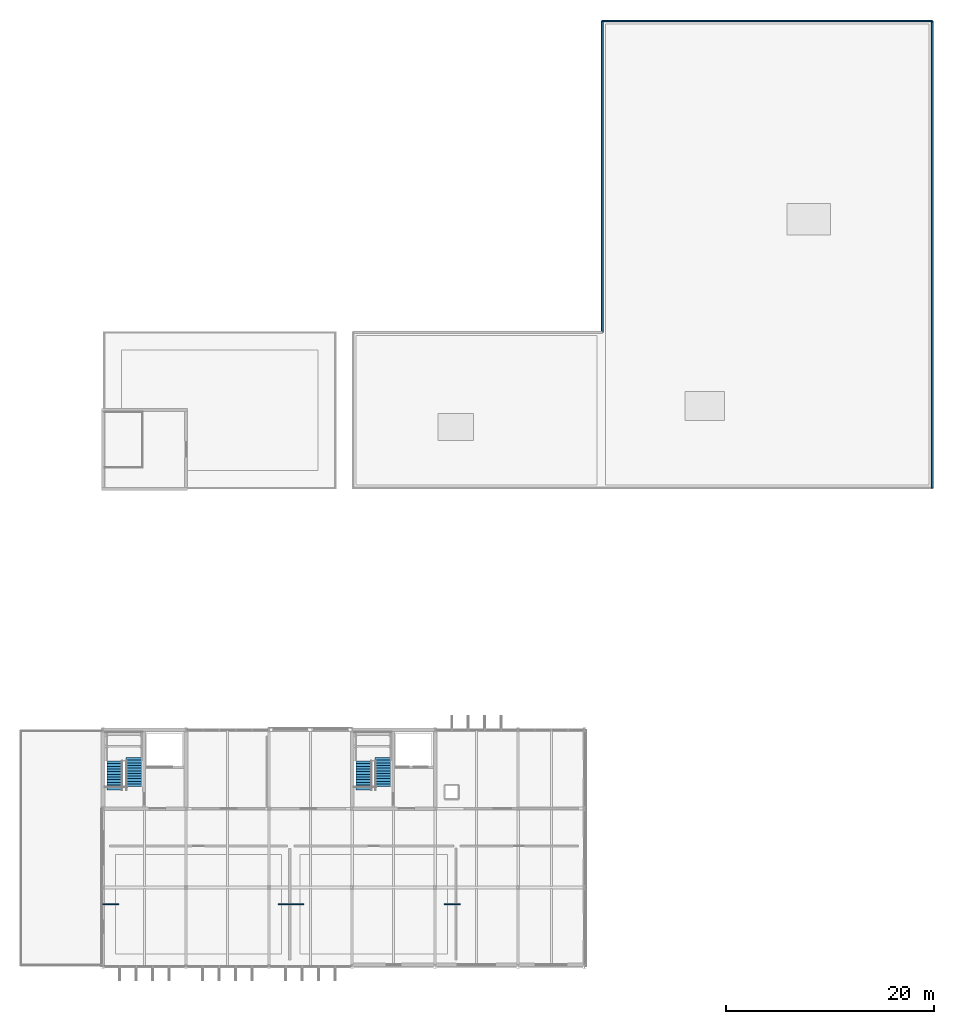
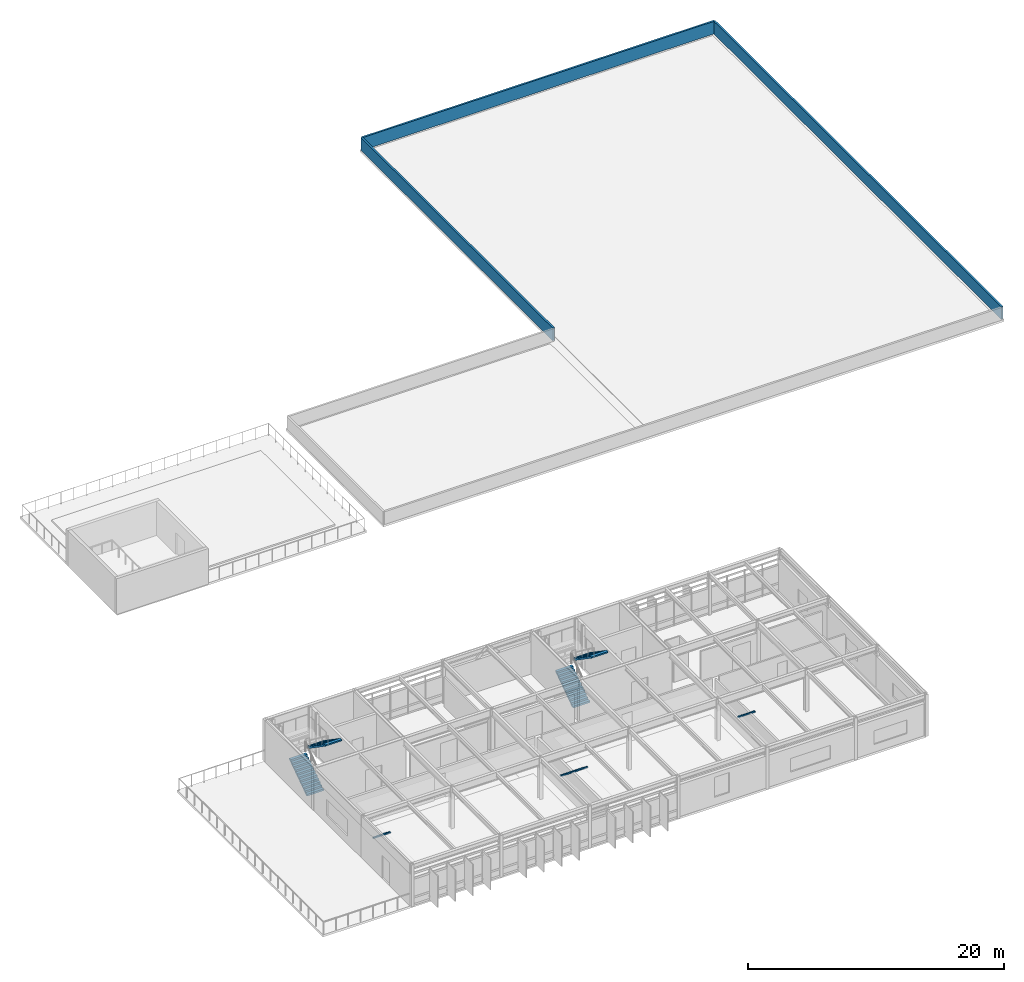
# One storey, part 17 of 21: 4 discrete accessories, 4 stair flights, 3 walls, 2 elements without a shape of their own.
"""IFC4 building model written with IfcOpenShell, lengths in metres."""

from ifc_helpers import new_model, si_unit, direction, frame, frame_2d, origin, origin_2d, place, context, subcontext, project, spatial, polyline, rectangle, outline, extrude, material, layer, layer_set, type_object, element, aggregate, save


model = new_model("IFC4")

# Units and contexts
model_context = context("Model", 3, precision=1e-05, world=origin(), true_north=direction((0.0, 1.0)))
body_context = subcontext(model_context, "Body", "Model", "MODEL_VIEW")
ifc_project = project(units=[si_unit("LENGTHUNIT", "METRE"), si_unit("AREAUNIT", "SQUARE_METRE"), si_unit("VOLUMEUNIT", "CUBIC_METRE"), si_unit("PLANEANGLEUNIT", "RADIAN"), si_unit("MASSUNIT", "GRAM", prefix="KILO")], contexts=[model_context])

# Site, building, storey
site_placement = place(None, origin())
site = spatial("IfcSite", under=ifc_project, at=site_placement, CompositionType="ELEMENT")
building_placement = place(site_placement, origin())
building = spatial("IfcBuilding", under=site, at=building_placement, Name="Zulena Civic Courthouse", CompositionType="ELEMENT")
storey_placement = place(building_placement, frame((0.0, 0.0, 37.800048828125)))
storey = spatial("IfcBuildingStorey", under=building, at=storey_placement, Name="L08", CompositionType="ELEMENT", Elevation=37.800048828125)

# Walls
ifc_material_1 = material(Name="Buff architectural precast concrete C40/50", Category="concrete")
ifc_layer_1 = layer(ifc_material_1, 0.169921875)
ifc_layer_set_1 = layer_set([ifc_layer_1], Name="Buff architectural precast concrete C40/50")
wall_type = type_object("IfcWallType", Name="Parapet_Buff_170", PredefinedType="PARAPET", material=ifc_layer_set_1)
wall_1_placement = place(storey_placement, frame((99.89990234375, 46.10009765625, 0.0), z_axis=(0.0, 0.0, 1.0), x_axis=(0.0, 1.0, 0.0)))
element("IfcWall", 1, at=wall_1_placement, inside=storey, type_object=wall_type, Name="parapet:V5:1", PredefinedType="PARAPET", context=body_context, shape_type="SweptSolid", body=[
    extrude(rectangle(XDim=45.0, YDim=0.169921875, at=frame_2d((22.5, 0.0))), origin(), (0.0, 0.0, 1.0), 1.199951171875),
])
wall_2_placement = place(storey_placement, frame((99.89990234375, 91.10009765625, 0.0), z_axis=(0.0, 0.0, 1.0), x_axis=(-1.0, 0.0, 0.0)))
element("IfcWall", 2, at=wall_2_placement, inside=storey, type_object=wall_type, Name="parapet:V5:2", PredefinedType="PARAPET", context=body_context, shape_type="SweptSolid", body=[
    extrude(rectangle(XDim=31.7998046875, YDim=0.169921875, at=frame_2d((15.89990234375, 0.0))), origin(), (0.0, 0.0, 1.0), 1.199951171875),
])
wall_3_placement = place(storey_placement, frame((68.10009765625, 91.10009765625, 0.0), z_axis=(0.0, 0.0, 1.0), x_axis=(0.0, -1.0, 0.0)))
element("IfcWall", 3, at=wall_3_placement, inside=storey, type_object=wall_type, Name="parapet:V5:3", PredefinedType="PARAPET", context=body_context, shape_type="SweptSolid", body=[
    extrude(rectangle(XDim=30.0, YDim=0.169921875, at=frame_2d((15.0, 0.0))), origin(), (0.0, 0.0, 1.0), 1.199951171875),
])

# Stair, stair flights
ifc_material_2 = material(Name="Precast concrete C40/50", Category="concrete")
stair_type = type_object("IfcStairType", Name="HalfTurnStair_4200", PredefinedType="HALF_TURN_STAIR", material=ifc_material_2)
stair_1_placement = place(storey_placement, origin())
stair_1 = element("IfcStair", 4, at=stair_1_placement, inside=storey, type_object=stair_type, Name="stair:K2A:L08", PredefinedType="HALF_TURN_STAIR")
stair_flight_type = type_object("IfcStairFlightType", Name="StairFlight_4200", PredefinedType="STRAIGHT", material=ifc_material_2)
stair_flight_1_placement = place(storey_placement, frame((21.1298828125, 16.97998046875, 0.0), z_axis=(0.0, 0.0, 1.0), x_axis=(0.0, 1.0, 0.0)))
stair_flight_1 = element("IfcStairFlight", 5, at=stair_flight_1_placement, type_object=stair_flight_type, Name="stair:K2A:L08:F1", NumberOfRisers=12, NumberOfTreads=11, PredefinedType="STRAIGHT", RiserHeight=0.175, TreadLength=0.255, context=body_context, shape_type="SweptSolid", body=[
    extrude(outline(polyline([(0.0, 0.0), (0.0, 0.175048828125), (0.2548828125, 0.175048828125), (0.2548828125, 0.35009765625), (0.510009765625, 0.35009765625), (0.510009765625, 0.52490234375), (0.764892578125, 0.52490234375), (0.764892578125, 0.699951171875), (1.02001953125, 0.699951171875), (1.02001953125, 0.875), (1.27490234375, 0.875), (1.27490234375, 1.050048828125), (1.530029296875, 1.050048828125), (1.530029296875, 1.22509765625), (1.784912109375, 1.22509765625), (1.784912109375, 1.39990234375), (2.0400390625, 1.39990234375), (2.0400390625, 1.574951171875), (2.294921875, 1.574951171875), (2.294921875, 1.75), (2.550048828125, 1.75), (2.550048828125, 1.925048828125), (2.804931640625, 1.925048828125), (2.804931640625, 2.10009765625), (2.804931640625, 1.797607421875), (0.185546875, 0.0), (0.0, 0.0)])), frame((0.0, 0.75, 0.0), z_axis=(0.0, -1.0, 0.0), x_axis=(1.0, 0.0, 0.0)), (0.0, 0.0, 1.0), 1.5),
])
stair_flight_2_placement = place(storey_placement, frame((22.969970703125, 20.124755859375, 2.099853515625), z_axis=(0.0, 0.0, 1.0), x_axis=(0.0, -1.0, 0.0)))
stair_flight_2 = element("IfcStairFlight", 6, at=stair_flight_2_placement, type_object=stair_flight_type, Name="stair:K2A:L08:F2", NumberOfRisers=12, NumberOfTreads=11, PredefinedType="STRAIGHT", RiserHeight=0.175, TreadLength=0.255, context=body_context, shape_type="SweptSolid", body=[
    extrude(outline(polyline([(0.0, 0.0), (0.0, 0.175048828125), (0.2548828125, 0.175048828125), (0.2548828125, 0.35009765625), (0.510009765625, 0.35009765625), (0.510009765625, 0.52490234375), (0.764892578125, 0.52490234375), (0.764892578125, 0.699951171875), (1.02001953125, 0.699951171875), (1.02001953125, 0.875), (1.27490234375, 0.875), (1.27490234375, 1.050048828125), (1.530029296875, 1.050048828125), (1.530029296875, 1.22509765625), (1.784912109375, 1.22509765625), (1.784912109375, 1.39990234375), (2.0400390625, 1.39990234375), (2.0400390625, 1.574951171875), (2.294921875, 1.574951171875), (2.294921875, 1.75), (2.550048828125, 1.75), (2.550048828125, 1.925048828125), (2.804931640625, 1.925048828125), (2.804931640625, 2.10009765625), (2.804931640625, 1.797607421875), (0.185546875, 0.0), (0.0, 0.0)])), frame((0.0, 0.75, 0.0), z_axis=(0.0, -1.0, 0.0), x_axis=(1.0, 0.0, 0.0)), (0.0, 0.0, 1.0), 1.5),
])
aggregate(stair_1, [stair_flight_1, stair_flight_2])

stair_2_placement = place(storey_placement, origin())
stair_2 = element("IfcStair", 7, at=stair_2_placement, inside=storey, type_object=stair_type, Name="stair:K2B:L08", PredefinedType="HALF_TURN_STAIR")
stair_flight_3_placement = place(storey_placement, frame((45.1298828125, 16.97998046875, 0.0), z_axis=(0.0, 0.0, 1.0), x_axis=(0.0, 1.0, 0.0)))
stair_flight_3 = element("IfcStairFlight", 8, at=stair_flight_3_placement, type_object=stair_flight_type, Name="stair:K2B:L08:F1", NumberOfRisers=12, NumberOfTreads=11, PredefinedType="STRAIGHT", RiserHeight=0.175, TreadLength=0.255, context=body_context, shape_type="SweptSolid", body=[
    extrude(outline(polyline([(0.0, 0.0), (0.0, 0.175048828125), (0.2548828125, 0.175048828125), (0.2548828125, 0.35009765625), (0.510009765625, 0.35009765625), (0.510009765625, 0.52490234375), (0.764892578125, 0.52490234375), (0.764892578125, 0.699951171875), (1.02001953125, 0.699951171875), (1.02001953125, 0.875), (1.27490234375, 0.875), (1.27490234375, 1.050048828125), (1.530029296875, 1.050048828125), (1.530029296875, 1.22509765625), (1.784912109375, 1.22509765625), (1.784912109375, 1.39990234375), (2.0400390625, 1.39990234375), (2.0400390625, 1.574951171875), (2.294921875, 1.574951171875), (2.294921875, 1.75), (2.550048828125, 1.75), (2.550048828125, 1.925048828125), (2.804931640625, 1.925048828125), (2.804931640625, 2.10009765625), (2.804931640625, 1.797607421875), (0.185546875, 0.0), (0.0, 0.0)])), frame((0.0, 0.75, 0.0), z_axis=(0.0, -1.0, 0.0), x_axis=(1.0, 0.0, 0.0)), (0.0, 0.0, 1.0), 1.5),
])
stair_flight_4_placement = place(storey_placement, frame((46.969970703125, 20.124755859375, 2.099853515625), z_axis=(0.0, 0.0, 1.0), x_axis=(0.0, -1.0, 0.0)))
stair_flight_4 = element("IfcStairFlight", 9, at=stair_flight_4_placement, type_object=stair_flight_type, Name="stair:K2B:L08:F2", NumberOfRisers=12, NumberOfTreads=11, PredefinedType="STRAIGHT", RiserHeight=0.175, TreadLength=0.255, context=body_context, shape_type="SweptSolid", body=[
    extrude(outline(polyline([(0.0, 0.0), (0.0, 0.175048828125), (0.2548828125, 0.175048828125), (0.2548828125, 0.35009765625), (0.510009765625, 0.35009765625), (0.510009765625, 0.52490234375), (0.764892578125, 0.52490234375), (0.764892578125, 0.699951171875), (1.02001953125, 0.699951171875), (1.02001953125, 0.875), (1.27490234375, 0.875), (1.27490234375, 1.050048828125), (1.530029296875, 1.050048828125), (1.530029296875, 1.22509765625), (1.784912109375, 1.22509765625), (1.784912109375, 1.39990234375), (2.0400390625, 1.39990234375), (2.0400390625, 1.574951171875), (2.294921875, 1.574951171875), (2.294921875, 1.75), (2.550048828125, 1.75), (2.550048828125, 1.925048828125), (2.804931640625, 1.925048828125), (2.804931640625, 2.10009765625), (2.804931640625, 1.797607421875), (0.185546875, 0.0), (0.0, 0.0)])), frame((0.0, 0.75, 0.0), z_axis=(0.0, -1.0, 0.0), x_axis=(1.0, 0.0, 0.0)), (0.0, 0.0, 1.0), 1.5),
])
aggregate(stair_2, [stair_flight_3, stair_flight_4])

# Discrete accessories
ifc_material_3 = material(Name="Gold anodised architectural aluminium AA6063-T6", Category="aluminium")
ifc_layer_2 = layer(ifc_material_3, 0.1201171875)
ifc_layer_set_2 = layer_set([ifc_layer_2], Name="Gold anodised architectural aluminium AA6063-T6")
discrete_accessory_type = type_object("IfcDiscreteAccessoryType", Name="FinOutriggerBracket", PredefinedType="BRACKET", material=ifc_layer_set_2)
for number, where, z_axis, x_axis, name in (
    (10, (20.75, 6.0, 2.789794921875), (0.0, 0.0, 1.0), (1.0, 0.0, 0.0), "hng:ceil:L08:358:0"),
    (11, (37.64990234375, 6.0, 2.789794921875), (0.0, 0.0, 1.0), (1.0, 0.0, 0.0), "hng:ceil:L08:358:1"),
    (12, (38.550048828125, 6.0, 2.789794921875), (0.0, 0.0, 1.0), (1.0, 0.0, 0.0), "hng:ceil:L08:359:0"),
    (13, (53.64990234375, 6.0, 2.789794921875), (0.0, 0.0, 1.0), (1.0, 0.0, 0.0), "hng:ceil:L08:359:1"),
):
    element("IfcDiscreteAccessory", number, at=place(storey_placement, frame(where, z_axis=z_axis, x_axis=x_axis)), inside=storey, type_object=discrete_accessory_type, Name=name, PredefinedType="BRACKET", context=body_context, shape_type="SweptSolid", body=[
        extrude(rectangle(XDim=1.550048828125, YDim=0.1201171875, at=origin_2d()), origin(), (0.0, 0.0, 1.0), 0.080078125),
    ])

save(model, "model.ifc")
